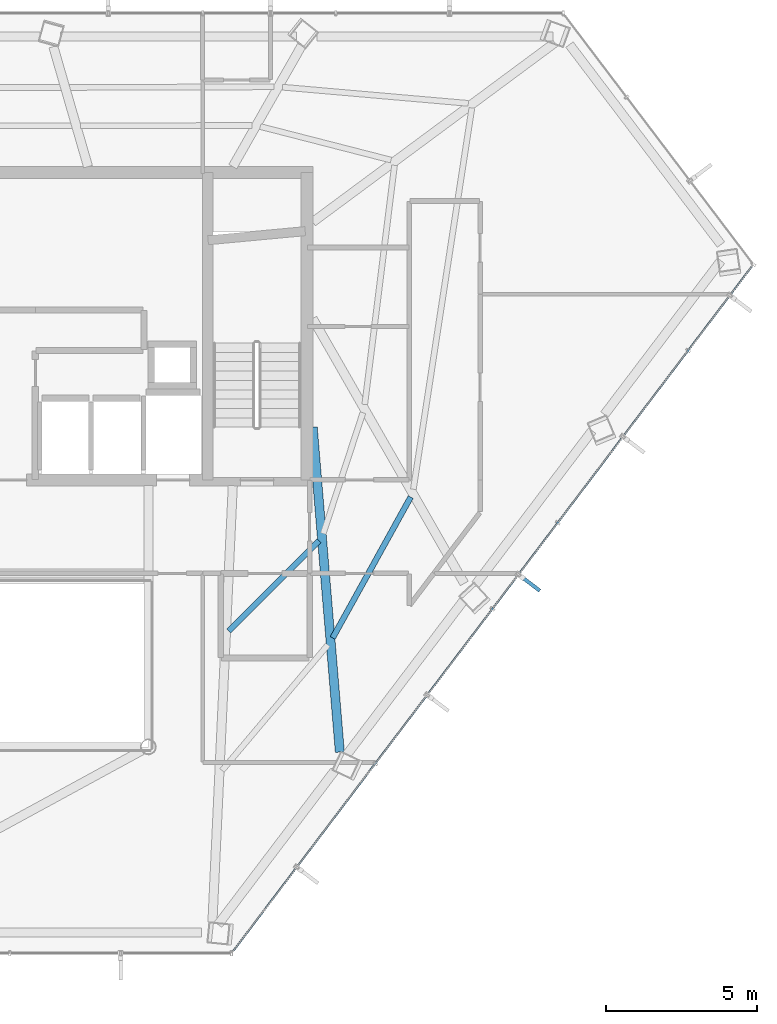
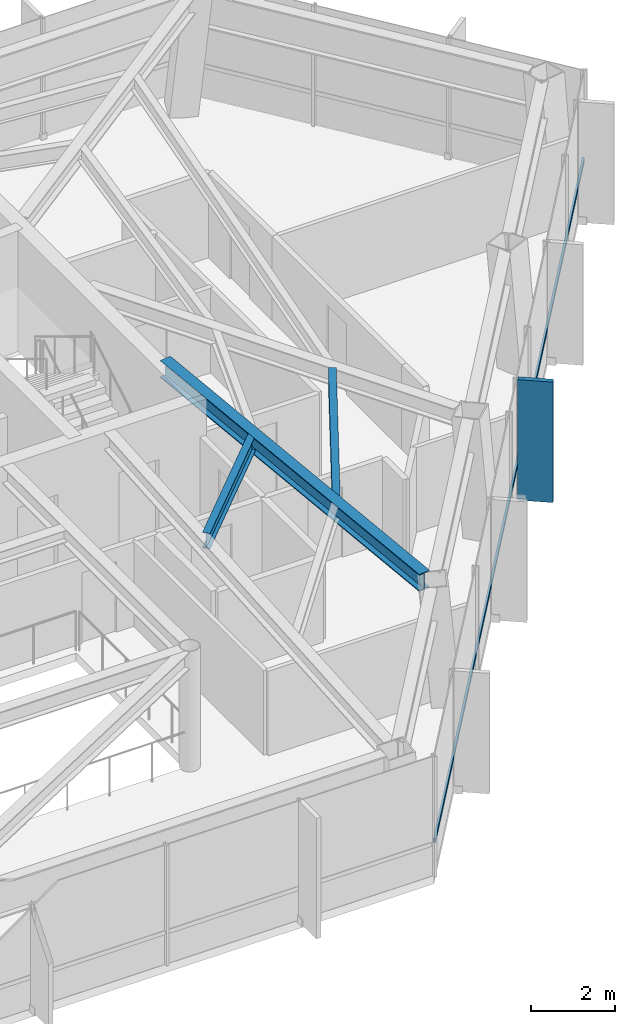
# One storey, part 17 of 27: 3 beams, 2 members, 1 element without a shape of its own.
"""IFC4 building model written with IfcOpenShell, lengths in metres."""

from ifc_helpers import new_model, si_unit, direction, frame, origin, origin_2d, place, context, subcontext, project, spatial, rectangle, hollow_rectangle, i_section, extrude, material, layer, layer_set, material_profile, profile_set, type_object, element, aggregate, save


model = new_model("IFC4")

# Units and contexts
model_context = context("Model", 3, precision=1e-05, world=origin(), true_north=direction((0.0, 1.0)))
body_context = subcontext(model_context, "Body", "Model", "MODEL_VIEW")
ifc_project = project(units=[si_unit("LENGTHUNIT", "METRE"), si_unit("AREAUNIT", "SQUARE_METRE"), si_unit("VOLUMEUNIT", "CUBIC_METRE"), si_unit("PLANEANGLEUNIT", "RADIAN"), si_unit("MASSUNIT", "GRAM", prefix="KILO")], contexts=[model_context])

# Site, building, storey
site_placement = place(None, origin())
site = spatial("IfcSite", under=ifc_project, at=site_placement, CompositionType="ELEMENT")
building_placement = place(site_placement, origin())
building = spatial("IfcBuilding", under=site, at=building_placement, Name="Zarrinselat Tower", CompositionType="ELEMENT")
storey_placement = place(building_placement, frame((0.0, 0.0, 183.260009765625)))
storey = spatial("IfcBuildingStorey", under=building, at=storey_placement, Name="L45", CompositionType="ELEMENT", Elevation=183.260009765625)

# Beams
ifc_material_1 = material(Name="Steel S355J2", Category="steel")
ifc_material_profile_1 = material_profile(ifc_material_1, i_section(OverallWidth=0.300048828125, OverallDepth=0.5, WebThickness=0.014404296875, FlangeThickness=0.028076171875, at=origin_2d()), Name="HEB 500")
ifc_profile_set_1 = profile_set([ifc_material_profile_1], Name="Steel S355J2")
beam_type_1 = type_object("IfcBeamType", Name="BM-HEB500", PredefinedType="BEAM", material=ifc_profile_set_1)
beam_1_placement = place(storey_placement, frame((48.449951171875, 35.0, 3.25), z_axis=(0.083155753509, -0.99653656263, 0.0), x_axis=(0.99653656263, 0.083155753509, 0.0)))
element("IfcBeam", 1, at=beam_1_placement, inside=storey, type_object=beam_type_1, Name="L45 Radial Primary Girder RG12", PredefinedType="BEAM", context=body_context, shape_type="SweptSolid", body=[
    extrude(i_section(OverallWidth=0.300048828125, OverallDepth=0.5, WebThickness=0.014404296875, FlangeThickness=0.028076171875, at=origin_2d()), origin(), (0.0, 0.0, 1.0), 10.81005859375),
])
ifc_material_2 = material(Name="Steel S355J2", Category="steel")
ifc_material_profile_2 = material_profile(ifc_material_2, i_section(OverallWidth=0.18994140625, OverallDepth=0.449951171875, WebThickness=0.009521484375, FlangeThickness=0.0146484375, at=origin_2d()), Name="IPE 450")
ifc_profile_set_2 = profile_set([ifc_material_profile_2], Name="Steel S355J2")
beam_type_2 = type_object("IfcBeamType", Name="BM-IPE450", PredefinedType="JOIST", material=ifc_profile_set_2)
beam_2_placement = place(storey_placement, frame((45.6689453125, 28.23974609375, 3.27490234375), z_axis=(0.705865612846, 0.708345774747, 0.0), x_axis=(-0.708345774747, 0.705865612846, 0.0)))
element("IfcBeam", 2, at=beam_2_placement, inside=storey, type_object=beam_type_2, Name="L45 Composite Floor Joist 3-2", PredefinedType="JOIST", context=body_context, shape_type="SweptSolid", body=[
    extrude(i_section(OverallWidth=0.18994140625, OverallDepth=0.449951171875, WebThickness=0.009521484375, FlangeThickness=0.0146484375, at=origin_2d()), origin(), (0.0, 0.0, 1.0), 4.23291015625),
])
beam_3_placement = place(storey_placement, frame((49.111083984375, 28.012451171875, 3.27490234375), z_axis=(0.48459028145, 0.874741252671, 0.0), x_axis=(-0.874741252671, 0.48459028145, 0.0)))
element("IfcBeam", 3, at=beam_3_placement, inside=storey, type_object=beam_type_2, Name="L45 Composite Floor Joist 4-1", PredefinedType="JOIST", context=body_context, shape_type="SweptSolid", body=[
    extrude(i_section(OverallWidth=0.18994140625, OverallDepth=0.449951171875, WebThickness=0.009521484375, FlangeThickness=0.0146484375, at=origin_2d()), origin(), (0.0, 0.0, 1.0), 5.33837890625),
])

# Curtain wall, members
ifc_material_3 = material(Name="Extruded Aluminium Alloy EN AW-6063 T6", Category="aluminium")
ifc_layer = layer(ifc_material_3, 0.175048828125)
ifc_layer_set = layer_set([ifc_layer], Name="Extruded Aluminium Alloy EN AW-6063 T6")
curtain_wall_type = type_object("IfcCurtainWallType", Name="CWS-HTL", PredefinedType="NOTDEFINED", material=ifc_layer_set)
curtain_wall_placement = place(storey_placement, origin())
curtain_wall = element("IfcCurtainWall", 4, at=curtain_wall_placement, inside=storey, type_object=curtain_wall_type, Name="L45 Unitised Curtain Wall CW-L45-E05", PredefinedType="NOTDEFINED")
ifc_material_4 = material(Name="Extruded Aluminium Alloy EN AW-6063 T6", Category="aluminium")
ifc_material_profile_3 = material_profile(ifc_material_4, hollow_rectangle(XDim=0.06005859375, YDim=0.1201171875, WallThickness=0.00390625, at=origin_2d()), Name="RHS 120x60x4")
ifc_profile_set_3 = profile_set([ifc_material_profile_3], Name="Extruded Aluminium Alloy EN AW-6063 T6")
member_type_1 = type_object("IfcMemberType", Name="MEM-CW-TRN2", PredefinedType="USERDEFINED", material=ifc_profile_set_3)
member_1_placement = place(storey_placement, frame((45.812744140625, 17.626953125, 0.949951171875), z_axis=(0.603856862741, 0.797092773346, 0.0), x_axis=(-0.797092773346, 0.603856862741, 0.0)))
member_1 = element("IfcMember", 5, at=member_1_placement, type_object=member_type_1, Name="CW-L45-E05 Transom 1", ObjectType="TRANSOM", PredefinedType="USERDEFINED", context=body_context, shape_type="SweptSolid", body=[
    extrude(hollow_rectangle(XDim=0.06005859375, YDim=0.1201171875, WallThickness=0.00390625, at=origin_2d()), origin(), (0.0, 0.0, 1.0), 28.47900390625),
])
ifc_material_5 = material(Name="Honed Cream Travertine Stone", Category="masonry")
ifc_material_profile_4 = material_profile(ifc_material_5, rectangle(XDim=0.1201171875, YDim=0.85009765625, at=origin_2d()), Name="FIN 850x120")
ifc_profile_set_4 = profile_set([ifc_material_profile_4], Name="Honed Cream Travertine Stone")
member_type_2 = type_object("IfcMemberType", Name="MEM-STONE-FIN", PredefinedType="USERDEFINED", material=ifc_profile_set_4)
member_2_placement = place(storey_placement, frame((55.63916015625, 29.8359375, 0.0), z_axis=(0.0, 0.0, 1.0), x_axis=(-0.603859165965, -0.797091028478, 0.0)))
member_2 = element("IfcMember", 6, at=member_2_placement, type_object=member_type_2, Name="L45 Stone Shading Fin CW-L45-E05-05", ObjectType="FIN", PredefinedType="USERDEFINED", context=body_context, shape_type="SweptSolid", body=[
    extrude(rectangle(XDim=0.1201171875, YDim=0.85009765625, at=origin_2d()), origin(), (0.0, 0.0, 1.0), 3.5),
])
aggregate(curtain_wall, [member_2, member_1])

save(model, "model.ifc")
